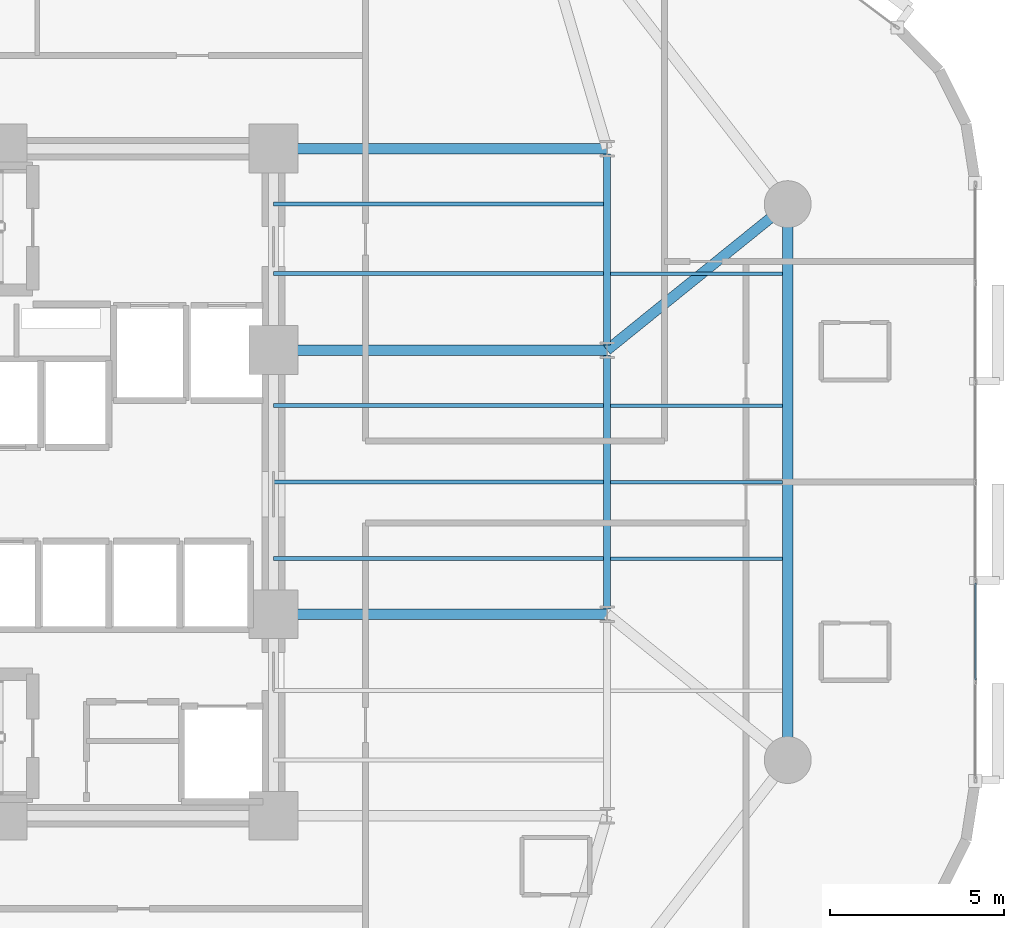
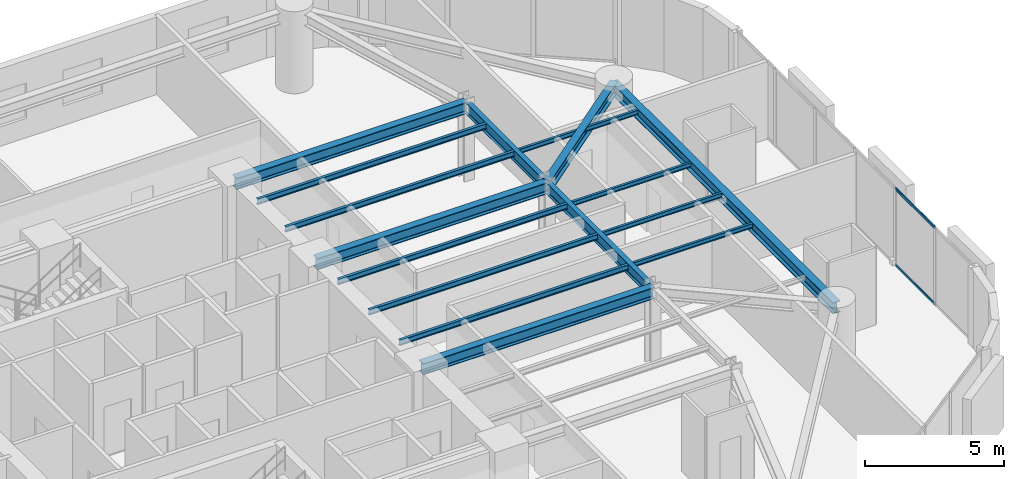
# One storey, part 5 of 16: 16 beams, 2 members, 1 element without a shape of its own.
"""IFC4 building model written with IfcOpenShell, lengths in metres."""

from ifc_helpers import new_model, si_unit, direction, frame, origin, origin_2d, place, context, subcontext, project, spatial, hollow_rectangle, i_section, extrude, material, layer, layer_set, material_profile, profile_set, type_object, element, aggregate, save


model = new_model("IFC4")

# Units and contexts
model_context = context("Model", 3, precision=1e-05, world=origin(), true_north=direction((0.0, 1.0)))
body_context = subcontext(model_context, "Body", "Model", "MODEL_VIEW")
ifc_project = project(units=[si_unit("LENGTHUNIT", "METRE"), si_unit("AREAUNIT", "SQUARE_METRE"), si_unit("VOLUMEUNIT", "CUBIC_METRE"), si_unit("PLANEANGLEUNIT", "RADIAN"), si_unit("MASSUNIT", "GRAM", prefix="KILO")], contexts=[model_context])

# Site, building, storey
site_placement = place(None, origin())
site = spatial("IfcSite", under=ifc_project, at=site_placement, CompositionType="ELEMENT")
building_placement = place(site_placement, origin())
building = spatial("IfcBuilding", under=site, at=building_placement, Name="An Khanh Terracotta Commons", CompositionType="ELEMENT")
storey_placement = place(building_placement, frame((0.0, 0.0, 100.699951171875)))
storey = spatial("IfcBuildingStorey", under=building, at=storey_placement, Name="L26", CompositionType="ELEMENT", Elevation=100.699951171875)

# Beams
ifc_material_1 = material(Name="Steel S355J2", Category="steel")
ifc_material_profile_1 = material_profile(ifc_material_1, i_section(OverallWidth=0.300048828125, OverallDepth=0.5, WebThickness=0.014404296875, FlangeThickness=0.028076171875, FilletRadius=0.027099609375, at=origin_2d()), Name="HEB500")
ifc_profile_set_1 = profile_set([ifc_material_profile_1], Name="Steel S355J2")
beam_type_1 = type_object("IfcBeamType", Name="BM-HEB500", PredefinedType="BEAM", material=ifc_profile_set_1)
beam_1_placement = place(storey_placement, frame((52.0, 16.0, 3.150146484375), z_axis=(0.0, 1.0, 0.0), x_axis=(-1.0, 0.0, 0.0)))
element("IfcBeam", 1, at=beam_1_placement, inside=storey, type_object=beam_type_1, Name="L26 Perimeter Ring Spandrel 3", PredefinedType="BEAM", context=body_context, shape_type="SweptSolid", body=[
    extrude(i_section(OverallWidth=0.300048828125, OverallDepth=0.5, WebThickness=0.014404296875, FlangeThickness=0.028076171875, FilletRadius=0.027099609375, at=origin_2d()), origin(), (0.0, 0.0, 1.0), 16.0),
])
for number, where, z_axis, x_axis, name in (
    (2, (37.199951171875, 20.199951171875, 3.150146484375), (1.0, 0.0, 0.0), (0.0, 1.0, 0.0), "L26 East Primary Floor Girder 2"),
    (3, (37.199951171875, 27.800048828125, 3.150146484375), (1.0, 0.0, 0.0), (0.0, 1.0, 0.0), "L26 East Primary Floor Girder 3"),
    (4, (37.199951171875, 33.60009765625, 3.150146484375), (1.0, 0.0, 0.0), (0.0, 1.0, 0.0), "L26 East Primary Floor Girder 4"),
):
    element("IfcBeam", number, at=place(storey_placement, frame(where, z_axis=z_axis, x_axis=x_axis)), inside=storey, type_object=beam_type_1, Name=name, PredefinedType="BEAM", context=body_context, shape_type="SweptSolid", body=[
        extrude(i_section(OverallWidth=0.300048828125, OverallDepth=0.5, WebThickness=0.014404296875, FlangeThickness=0.028076171875, FilletRadius=0.027099609375, at=origin_2d()), origin(), (0.0, 0.0, 1.0), 9.60009765625),
    ])
beam_2_placement = place(storey_placement, frame((52.0, 32.0, 3.150146484375), z_axis=(-0.777941866883, -0.628336256913, 0.0), x_axis=(0.628336256913, -0.777941866883, 0.0)))
element("IfcBeam", 5, at=beam_2_placement, inside=storey, type_object=beam_type_1, Name="L26 Mega-Column Tie Girder 4", PredefinedType="BEAM", context=body_context, shape_type="SweptSolid", body=[
    extrude(i_section(OverallWidth=0.300048828125, OverallDepth=0.5, WebThickness=0.014404296875, FlangeThickness=0.028076171875, FilletRadius=0.027099609375, at=origin_2d()), origin(), (0.0, 0.0, 1.0), 6.684326171875),
])
ifc_material_profile_2 = material_profile(ifc_material_1, i_section(OverallWidth=0.10009765625, OverallDepth=0.199951171875, WebThickness=0.005615234375, FlangeThickness=0.008544921875, FilletRadius=0.011962890625, at=origin_2d()), Name="IPE200")
ifc_profile_set_2 = profile_set([ifc_material_profile_2], Name="Steel S355J2")
beam_type_2 = type_object("IfcBeamType", Name="BM-IPE200", PredefinedType="JOIST", material=ifc_profile_set_2)
for number, where, z_axis, x_axis, name in (
    (6, (46.89990234375, 21.800048828125, 3.300048828125), (1.0, 0.0, 0.0), (0.0, 1.0, 0.0), "L26 Riverfront Composite Joist 3"),
    (7, (46.89990234375, 24.0, 3.300048828125), (1.0, 0.0, 0.0), (0.0, 1.0, 0.0), "L26 Riverfront Composite Joist 4"),
    (8, (46.89990234375, 26.199951171875, 3.300048828125), (1.0, 0.0, 0.0), (0.0, 1.0, 0.0), "L26 Riverfront Composite Joist 5"),
    (9, (46.89990234375, 30.0, 3.300048828125), (1.0, 0.0, 0.0), (0.0, 1.0, 0.0), "L26 Riverfront Composite Joist 6"),
):
    element("IfcBeam", number, at=place(storey_placement, frame(where, z_axis=z_axis, x_axis=x_axis)), inside=storey, type_object=beam_type_2, Name=name, PredefinedType="JOIST", context=body_context, shape_type="SweptSolid", body=[
        extrude(i_section(OverallWidth=0.10009765625, OverallDepth=0.199951171875, WebThickness=0.005615234375, FlangeThickness=0.008544921875, FilletRadius=0.011962890625, at=origin_2d()), origin(), (0.0, 0.0, 1.0), 4.9501953125),
    ])
ifc_material_profile_3 = material_profile(ifc_material_1, i_section(OverallWidth=0.1201171875, OverallDepth=0.239990234375, WebThickness=0.006103515625, FlangeThickness=0.009765625, FilletRadius=0.014892578125, at=origin_2d()), Name="IPE240")
ifc_profile_set_3 = profile_set([ifc_material_profile_3], Name="Steel S355J2")
beam_type_3 = type_object("IfcBeamType", Name="BM-IPE240", PredefinedType="JOIST", material=ifc_profile_set_3)
for number, where, z_axis, x_axis, name in (
    (10, (37.199951171875, 21.800048828125, 3.280029296875), (1.0, 0.0, 0.0), (0.0, 1.0, 0.0), "L26 Inboard Composite Joist 3"),
    (11, (37.199951171875, 24.0, 3.280029296875), (1.0, 0.0, 0.0), (0.0, 1.0, 0.0), "L26 Inboard Composite Joist 4"),
    (12, (37.199951171875, 26.199951171875, 3.280029296875), (1.0, 0.0, 0.0), (0.0, 1.0, 0.0), "L26 Inboard Composite Joist 5"),
    (13, (37.199951171875, 30.0, 3.280029296875), (1.0, 0.0, 0.0), (0.0, 1.0, 0.0), "L26 Inboard Composite Joist 6"),
    (14, (37.199951171875, 32.0, 3.280029296875), (1.0, 0.0, 0.0), (0.0, 1.0, 0.0), "L26 Inboard Composite Joist 7"),
):
    element("IfcBeam", number, at=place(storey_placement, frame(where, z_axis=z_axis, x_axis=x_axis)), inside=storey, type_object=beam_type_3, Name=name, PredefinedType="JOIST", context=body_context, shape_type="SweptSolid", body=[
        extrude(i_section(OverallWidth=0.1201171875, OverallDepth=0.239990234375, WebThickness=0.006103515625, FlangeThickness=0.009765625, FilletRadius=0.014892578125, at=origin_2d()), origin(), (0.0, 0.0, 1.0), 9.5),
    ])
ifc_material_profile_4 = material_profile(ifc_material_1, i_section(OverallWidth=0.199951171875, OverallDepth=0.5, WebThickness=0.01025390625, FlangeThickness=0.01611328125, FilletRadius=0.02099609375, at=origin_2d()), Name="IPE500")
ifc_profile_set_4 = profile_set([ifc_material_profile_4], Name="Steel S355J2")
beam_type_4 = type_object("IfcBeamType", Name="BM-IPE500", PredefinedType="BEAM", material=ifc_profile_set_4)
beam_3_placement = place(storey_placement, frame((46.800048828125, 20.35009765625, 3.150146484375), z_axis=(0.0, 1.0, 0.0), x_axis=(-1.0, 0.0, 0.0)))
element("IfcBeam", 15, at=beam_3_placement, inside=storey, type_object=beam_type_4, Name="L26 East Spine Girder 2", PredefinedType="BEAM", context=body_context, shape_type="SweptSolid", body=[
    extrude(i_section(OverallWidth=0.199951171875, OverallDepth=0.5, WebThickness=0.01025390625, FlangeThickness=0.01611328125, FilletRadius=0.02099609375, at=origin_2d()), origin(), (0.0, 0.0, 1.0), 7.2998046875),
])
beam_4_placement = place(storey_placement, frame((46.800048828125, 27.949951171875, 3.150146484375), z_axis=(0.0, 1.0, 0.0), x_axis=(-1.0, 0.0, 0.0)))
element("IfcBeam", 16, at=beam_4_placement, inside=storey, type_object=beam_type_4, Name="L26 East Spine Girder 3", PredefinedType="BEAM", context=body_context, shape_type="SweptSolid", body=[
    extrude(i_section(OverallWidth=0.199951171875, OverallDepth=0.5, WebThickness=0.01025390625, FlangeThickness=0.01611328125, FilletRadius=0.02099609375, at=origin_2d()), origin(), (0.0, 0.0, 1.0), 5.5),
])

# Curtain wall, members
ifc_material_2 = material(Name="Anodised Aluminium 6063-T6", Category="aluminium")
ifc_layer = layer(ifc_material_2, 0.199951171875, Name="Anodised Aluminium 6063-T6")
ifc_layer_set = layer_set([ifc_layer], Name="Anodised Aluminium 6063-T6")
curtain_wall_type = type_object("IfcCurtainWallType", Name="CW-SYS-02", PredefinedType="USERDEFINED", material=ifc_layer_set)
curtain_wall_placement = place(storey_placement, origin())
curtain_wall = element("IfcCurtainWall", 17, at=curtain_wall_placement, inside=storey, type_object=curtain_wall_type, Name="L26 CW-02 Unitised Curtain Wall CW-L26-12", ObjectType="UNITISED CURTAIN WALL", PredefinedType="USERDEFINED")
ifc_material_profile_5 = material_profile(ifc_material_2, hollow_rectangle(XDim=0.06005859375, YDim=0.1201171875, WallThickness=0.003662109375, InnerFilletRadius=0.003662109375, OuterFilletRadius=0.007080078125, at=origin_2d()), Name="RHS120x60x3.6")
ifc_profile_set_5 = profile_set([ifc_material_profile_5], Name="Anodised Aluminium 6063-T6")
member_type = type_object("IfcMemberType", Name="CWT-RHS120x60x3.6", PredefinedType="USERDEFINED", material=ifc_profile_set_5)
member_1_placement = place(storey_placement, frame((57.39990234375, 18.3017578125, 0.030029296875), z_axis=(0.0, 1.0, 0.0), x_axis=(-1.0, 0.0, 0.0)))
member_1 = element("IfcMember", 18, at=member_1_placement, type_object=member_type, Name="CW-02 transom 2.1", ObjectType="TRANSOM", PredefinedType="USERDEFINED", context=body_context, shape_type="SweptSolid", body=[
    extrude(hollow_rectangle(XDim=0.06005859375, YDim=0.1201171875, WallThickness=0.003662109375, InnerFilletRadius=0.003662109375, OuterFilletRadius=0.007080078125, at=origin_2d()), origin(), (0.0, 0.0, 1.0), 2.796630859375),
])
member_2_placement = place(storey_placement, frame((57.39990234375, 18.3017578125, 3.3701171875), z_axis=(0.0, 1.0, 0.0), x_axis=(-1.0, 0.0, 0.0)))
member_2 = element("IfcMember", 19, at=member_2_placement, type_object=member_type, Name="CW-02 transom 2.2", ObjectType="TRANSOM", PredefinedType="USERDEFINED", context=body_context, shape_type="SweptSolid", body=[
    extrude(hollow_rectangle(XDim=0.06005859375, YDim=0.1201171875, WallThickness=0.003662109375, InnerFilletRadius=0.003662109375, OuterFilletRadius=0.007080078125, at=origin_2d()), origin(), (0.0, 0.0, 1.0), 2.796630859375),
])
aggregate(curtain_wall, [member_1, member_2])

save(model, "model.ifc")
